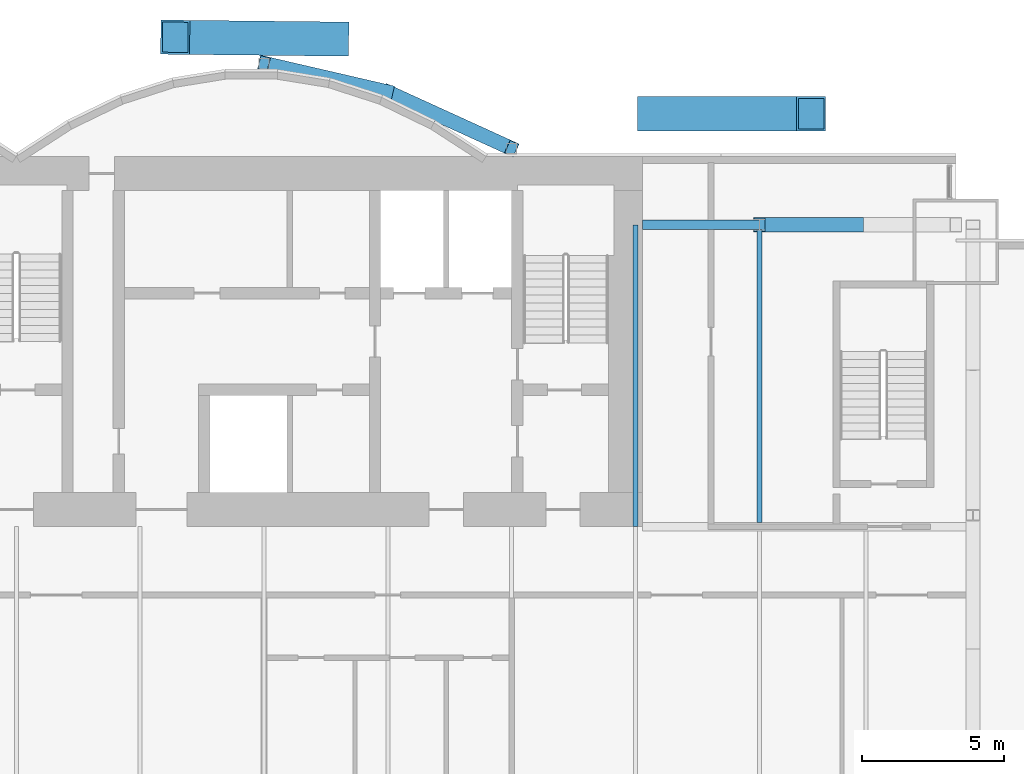
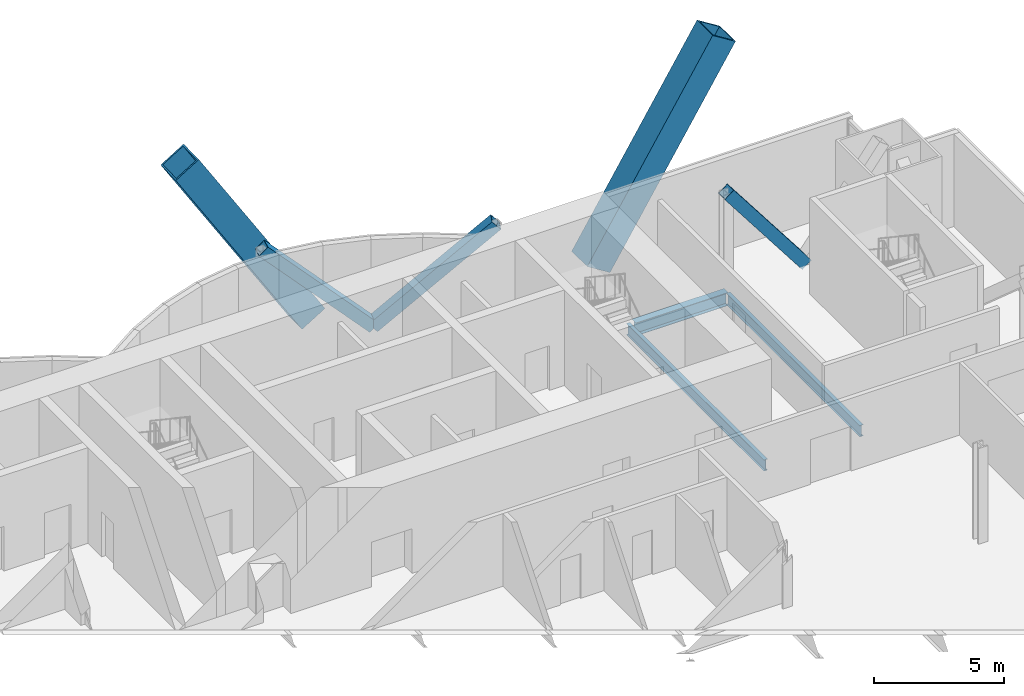
# One storey, part 12 of 22: 5 members, 3 beams.
"""IFC4 building model written with IfcOpenShell, lengths in metres."""

from ifc_helpers import new_model, si_unit, direction, frame, origin, origin_2d, place, context, subcontext, project, spatial, hollow_rectangle, i_section, extrude, material, material_profile, profile_set, type_object, element, save


model = new_model("IFC4")

# Units and contexts
model_context = context("Model", 3, precision=1e-05, world=origin(), true_north=direction((0.0, 1.0)))
body_context = subcontext(model_context, "Body", "Model", "MODEL_VIEW")
ifc_project = project(units=[si_unit("LENGTHUNIT", "METRE"), si_unit("AREAUNIT", "SQUARE_METRE"), si_unit("VOLUMEUNIT", "CUBIC_METRE"), si_unit("PLANEANGLEUNIT", "RADIAN"), si_unit("MASSUNIT", "GRAM", prefix="KILO")], contexts=[model_context])

# Site, building, storey
site_placement = place(None, origin())
site = spatial("IfcSite", under=ifc_project, at=site_placement, CompositionType="ELEMENT")
building_placement = place(site_placement, origin())
building = spatial("IfcBuilding", under=site, at=building_placement, Name="Bicima Exchange Tower", CompositionType="ELEMENT")
storey_placement = place(building_placement, frame((0.0, 0.0, 71.0)))
storey = spatial("IfcBuildingStorey", under=building, at=storey_placement, Name="L14", CompositionType="ELEMENT", Elevation=71.0)

# Members
ifc_material_1 = material(Name="Steel ASTM A572 Gr 50", Category="steel")
ifc_material_profile_1 = material_profile(ifc_material_1, hollow_rectangle(XDim=1.199951171875, YDim=1.199951171875, WallThickness=0.070068359375, at=origin_2d()))
ifc_profile_set_1 = profile_set([ifc_material_profile_1], Name="Steel ASTM A572 Gr 50")
member_type_1 = type_object("IfcMemberType", Name="Exo mega brace BOX 1200x1200x70", PredefinedType="BRACE", material=ifc_profile_set_1)
member_1_placement = place(storey_placement, frame((22.333251953125, 1.5, 0.14990234375), z_axis=(0.530363683247, 0.0, 0.847770230365), x_axis=(0.0, 1.0, 0.0)))
element("IfcMember", 1, at=member_1_placement, inside=storey, type_object=member_type_1, Name="Exo mega brace rear", PredefinedType="BRACE", context=body_context, shape_type="SweptSolid", body=[
    extrude(hollow_rectangle(XDim=1.199951171875, YDim=1.199951171875, WallThickness=0.070068359375, at=origin_2d()), origin(), (0.0, 0.0, 1.0), 10.527587890625),
])
member_2_placement = place(storey_placement, frame((11.166748046875, 4.125, 0.14990234375), z_axis=(-0.530354626985, 0.005843872584, 0.847755754206), x_axis=(-0.011018133066, -0.99993929853, 0.0)))
element("IfcMember", 2, at=member_2_placement, inside=storey, type_object=member_type_1, Name="Exo mega brace rear", PredefinedType="BRACE", context=body_context, shape_type="SweptSolid", body=[
    extrude(hollow_rectangle(XDim=1.199951171875, YDim=1.199951171875, WallThickness=0.070068359375, at=origin_2d()), origin(), (0.0, 0.0, 1.0), 10.52783203125),
])

# Beams
ifc_material_2 = material(Name="Steel ASTM A992 Gr 50", Category="steel")
ifc_material_profile_2 = material_profile(ifc_material_2, i_section(OverallWidth=0.165771484375, OverallDepth=0.5283203125, WebThickness=0.009765625, FlangeThickness=0.013671875, at=origin_2d()))
ifc_profile_set_2 = profile_set([ifc_material_profile_2], Name="Steel ASTM A992 Gr 50")
beam_type_1 = type_object("IfcBeamType", Name="Floor beam W21x50", PredefinedType="JOIST", material=ifc_profile_set_2)
beam_1_placement = place(storey_placement, frame((21.75, -2.39990234375, -0.414306640625), z_axis=(0.0, -1.0, 0.0), x_axis=(1.0, 0.0, 0.0)))
element("IfcBeam", 3, at=beam_1_placement, inside=storey, type_object=beam_type_1, Name="Floor beam", PredefinedType="JOIST", context=body_context, shape_type="SweptSolid", body=[
    extrude(i_section(OverallWidth=0.165771484375, OverallDepth=0.5283203125, WebThickness=0.009765625, FlangeThickness=0.013671875, at=origin_2d()), origin(), (0.0, 0.0, 1.0), 10.60009765625),
])
beam_2_placement = place(storey_placement, frame((26.10009765625, -2.5625, -0.414306640625), z_axis=(0.0, -1.0, 0.0), x_axis=(1.0, 0.0, 0.0)))
element("IfcBeam", 4, at=beam_2_placement, inside=storey, type_object=beam_type_1, Name="Floor beam", PredefinedType="JOIST", context=body_context, shape_type="SweptSolid", body=[
    extrude(i_section(OverallWidth=0.165771484375, OverallDepth=0.5283203125, WebThickness=0.009765625, FlangeThickness=0.013671875, at=origin_2d()), origin(), (0.0, 0.0, 1.0), 10.28515625),
])

# Members
ifc_material_profile_3 = material_profile(ifc_material_1, hollow_rectangle(XDim=0.508056640625, YDim=0.508056640625, WallThickness=0.017822265625, at=origin_2d()))
ifc_profile_set_3 = profile_set([ifc_material_profile_3], Name="Steel ASTM A572 Gr 50")
member_type_2 = type_object("IfcMemberType", Name="Mega brace HSS20x20x3/4", PredefinedType="BRACE", material=ifc_profile_set_3)
member_3_placement = place(storey_placement, frame((13.050048828125, 2.262451171875, 0.0), z_axis=(0.662507516739, -0.302231638101, 0.685375683254), x_axis=(0.415045223819, 0.909800781592, 0.0)))
element("IfcMember", 5, at=member_3_placement, inside=storey, type_object=member_type_2, Name="Mega brace rexo", PredefinedType="BRACE", context=body_context, shape_type="SweptSolid", body=[
    extrude(hollow_rectangle(XDim=0.508056640625, YDim=0.508056640625, WallThickness=0.017822265625, at=origin_2d()), origin(), (0.0, 0.0, 1.0), 6.565673828125),
])
member_4_placement = place(storey_placement, frame((13.050048828125, 2.262451171875, 0.0), z_axis=(-0.686212303743, 0.158786245837, 0.709858860848), x_axis=(-0.225438503722, -0.974257399787, 0.0)))
element("IfcMember", 6, at=member_4_placement, inside=storey, type_object=member_type_2, Name="Mega brace rexo", PredefinedType="BRACE", context=body_context, shape_type="SweptSolid", body=[
    extrude(hollow_rectangle(XDim=0.508056640625, YDim=0.508056640625, WallThickness=0.017822265625, at=origin_2d()), origin(), (0.0, 0.0, 1.0), 6.33935546875),
])
member_5_placement = place(storey_placement, frame((29.550048828125, -2.39990234375, 0.0), z_axis=(-0.608426120198, 0.0, 0.793610519248), x_axis=(0.0, -1.0, 0.0)))
element("IfcMember", 7, at=member_5_placement, inside=storey, type_object=member_type_2, Name="Mega brace rear", PredefinedType="BRACE", context=body_context, shape_type="SweptSolid", body=[
    extrude(hollow_rectangle(XDim=0.508056640625, YDim=0.508056640625, WallThickness=0.017822265625, at=origin_2d()), origin(), (0.0, 0.0, 1.0), 5.670166015625),
])

# Beam
ifc_material_profile_4 = material_profile(ifc_material_2, i_section(OverallWidth=0.3251953125, OverallDepth=0.612060546875, WebThickness=0.0126953125, FlangeThickness=0.01904296875, at=origin_2d()))
ifc_profile_set_4 = profile_set([ifc_material_profile_4], Name="Steel ASTM A992 Gr 50")
beam_type_2 = type_object("IfcBeamType", Name="Rear girder W24x104", PredefinedType="BEAM", material=ifc_profile_set_4)
beam_3_placement = place(storey_placement, frame((22.0, -2.39990234375, -0.4560546875), z_axis=(1.0, 0.0, 0.0), x_axis=(0.0, 1.0, 0.0)))
element("IfcBeam", 8, at=beam_3_placement, inside=storey, type_object=beam_type_2, Name="Rear girder", PredefinedType="BEAM", context=body_context, shape_type="SweptSolid", body=[
    extrude(i_section(OverallWidth=0.3251953125, OverallDepth=0.612060546875, WebThickness=0.0126953125, FlangeThickness=0.01904296875, at=origin_2d()), origin(), (0.0, 0.0, 1.0), 4.10009765625),
])

save(model, "model.ifc")
